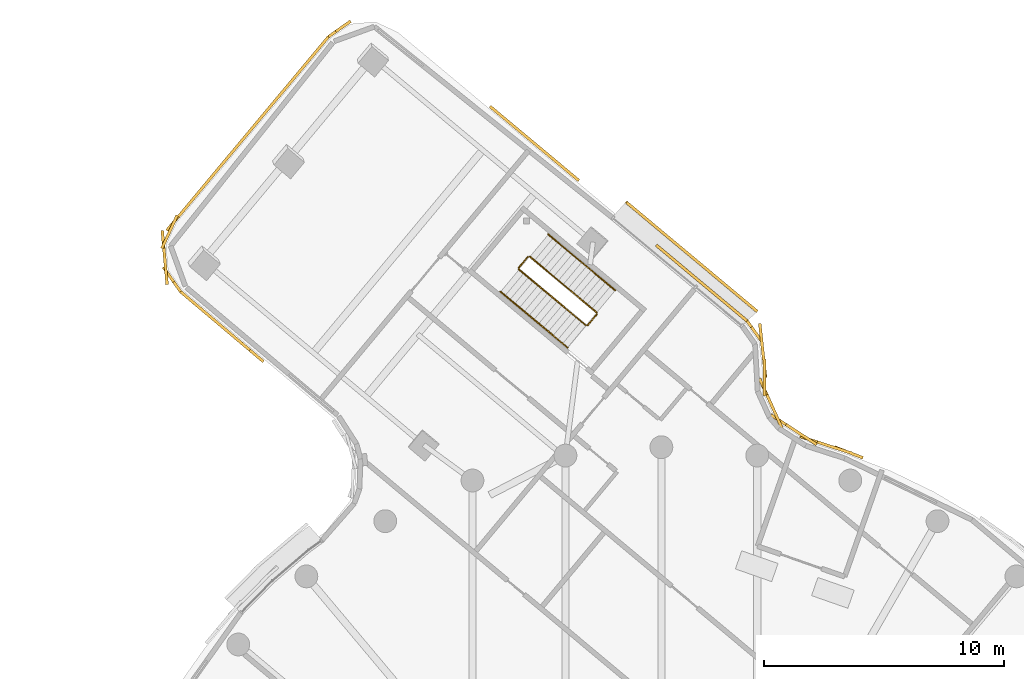
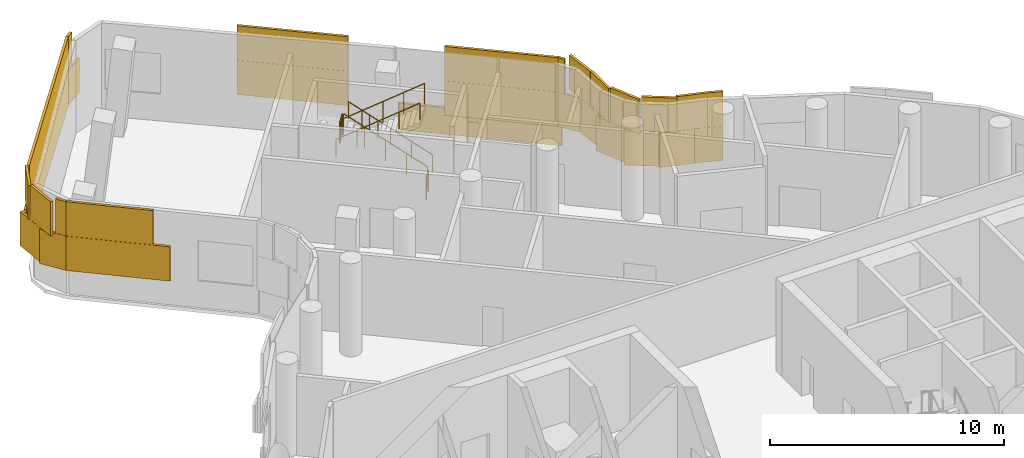
# One storey, part 17 of 19: 6 coverings, 6 railings.
"""IFC4 building model written with IfcOpenShell, lengths in metres."""

from ifc_helpers import new_model, si_unit, direction, frame, origin, origin_2d, place, context, subcontext, project, spatial, rectangle, circle, extrude, material, layer, layer_set, type_object, element, save


model = new_model("IFC4")

# Units and contexts
model_context = context("Model", 3, precision=1e-05, world=origin(), true_north=direction((0.0, 1.0)))
body_context = subcontext(model_context, "Body", "Model", "MODEL_VIEW")
ifc_project = project(units=[si_unit("LENGTHUNIT", "METRE"), si_unit("AREAUNIT", "SQUARE_METRE"), si_unit("VOLUMEUNIT", "CUBIC_METRE"), si_unit("PLANEANGLEUNIT", "RADIAN"), si_unit("MASSUNIT", "GRAM", prefix="KILO")], contexts=[model_context])

# Site, building, storey
site_placement = place(None, origin())
site = spatial("IfcSite", under=ifc_project, at=site_placement, CompositionType="ELEMENT")
building_placement = place(site_placement, origin())
building = spatial("IfcBuilding", under=site, at=building_placement, Name="Tamarind Cross Interchange Tower", CompositionType="ELEMENT")
storey_placement = place(building_placement, frame((0.0, 0.0, 214.89990234375)))
storey = spatial("IfcBuildingStorey", under=building, at=storey_placement, Name="L54", CompositionType="ELEMENT", Elevation=214.89990234375)

# Railings
ifc_material_1 = material(Name="Stair guard")
railing_type_1 = type_object("IfcRailingType", Name="Stair guard", PredefinedType="GUARDRAIL", material=ifc_material_1)
railing_1_placement = place(storey_placement, frame((-2.690185546875, 28.60888671875, 0.166748046875)))
element("IfcRailing", 1, at=railing_1_placement, inside=storey, type_object=railing_type_1, Name="L54 ST4 stair guard 1", PredefinedType="GUARDRAIL", context=body_context, shape_type="SweptSolid", body=[
    extrude(circle(Radius=0.02392578125, at=origin_2d()), frame((0.0, 0.0, 1.076171875), z_axis=(-0.646339779261, 0.539444689086, 0.53967056355), x_axis=(-0.640764798024, -0.76773724256, 0.0)), (0.0, 0.0, 1.0), 4.323486328125),
    extrude(circle(Radius=0.02099609375, at=origin_2d()), origin(), (0.0, 0.0, 1.0), 1.052001953125),
    extrude(circle(Radius=0.02099609375, at=origin_2d()), frame((-0.69873046875, 0.5830078125, 0.583251953125)), (0.0, 0.0, 1.0), 1.052001953125),
    extrude(circle(Radius=0.02099609375, at=origin_2d()), frame((-1.397216796875, 1.166015625, 1.16650390625)), (0.0, 0.0, 1.0), 1.052001953125),
    extrude(circle(Radius=0.02099609375, at=origin_2d()), frame((-2.095703125, 1.749267578125, 1.75)), (0.0, 0.0, 1.0), 1.052001953125),
    extrude(circle(Radius=0.02099609375, at=origin_2d()), frame((-2.79443359375, 2.332275390625, 2.333251953125)), (0.0, 0.0, 1.0), 1.052001953125),
])
railing_2_placement = place(storey_placement, frame((-5.55517578125, 30.934814453125, 2.5)))
element("IfcRailing", 2, at=railing_2_placement, inside=storey, type_object=railing_type_1, Name="L54 ST4 stair guard 2", PredefinedType="GUARDRAIL", context=body_context, shape_type="SweptSolid", body=[
    extrude(circle(Radius=0.02392578125, at=origin_2d()), frame((0.0, 0.0, 1.076171875), z_axis=(-0.640544583064, -0.767920983635, 0.0), x_axis=(0.767920983635, -0.640544583064, 0.0)), (0.0, 0.0, 1.0), 0.599853515625),
    extrude(circle(Radius=0.02099609375, at=origin_2d()), origin(), (0.0, 0.0, 1.0), 1.052001953125),
    extrude(circle(Radius=0.02099609375, at=origin_2d()), frame((-0.38427734375, -0.460693359375, 0.0)), (0.0, 0.0, 1.0), 1.052001953125),
])
railing_3_placement = place(storey_placement, frame((-5.93310546875, 30.40380859375, 2.666748046875)))
element("IfcRailing", 3, at=railing_3_placement, inside=storey, type_object=railing_type_1, Name="L54 ST4 stair guard 3", PredefinedType="GUARDRAIL", context=body_context, shape_type="SweptSolid", body=[
    extrude(circle(Radius=0.02392578125, at=origin_2d()), frame((0.0, 0.0, 1.076171875), z_axis=(0.646320090525, -0.539484723473, 0.539654124161), x_axis=(0.640804330688, 0.76770424629, 0.0)), (0.0, 0.0, 1.0), 4.323486328125),
    extrude(circle(Radius=0.02099609375, at=origin_2d()), origin(), (0.0, 0.0, 1.0), 1.052001953125),
    extrude(circle(Radius=0.02099609375, at=origin_2d()), frame((0.69873046875, -0.5830078125, 0.583251953125)), (0.0, 0.0, 1.0), 1.052001953125),
    extrude(circle(Radius=0.02099609375, at=origin_2d()), frame((1.397216796875, -1.166259765625, 1.16650390625)), (0.0, 0.0, 1.0), 1.052001953125),
    extrude(circle(Radius=0.02099609375, at=origin_2d()), frame((2.095703125, -1.74951171875, 1.75)), (0.0, 0.0, 1.0), 1.052001953125),
    extrude(circle(Radius=0.02099609375, at=origin_2d()), frame((2.79443359375, -2.33251953125, 2.333251953125)), (0.0, 0.0, 1.0), 1.052001953125),
])
railing_4_placement = place(storey_placement, frame((-2.683837890625, 28.538330078125, 0.0)))
element("IfcRailing", 4, at=railing_4_placement, inside=storey, type_object=railing_type_1, Name="L54 ST4 stair guard 4", PredefinedType="GUARDRAIL", context=body_context, shape_type="SweptSolid", body=[
    extrude(circle(Radius=0.02392578125, at=origin_2d()), frame((0.0, 0.0, 1.076171875), z_axis=(-0.640544583064, -0.767920983635, 0.0), x_axis=(0.767920983635, -0.640544583064, 0.0)), (0.0, 0.0, 1.0), 0.599853515625),
    extrude(circle(Radius=0.02099609375, at=origin_2d()), origin(), (0.0, 0.0, 1.0), 1.052001953125),
    extrude(circle(Radius=0.02099609375, at=origin_2d()), frame((-0.38427734375, -0.460693359375, 0.0)), (0.0, 0.0, 1.0), 1.052001953125),
])
ifc_material_2 = material(Name="Stair handrail")
railing_type_2 = type_object("IfcRailingType", Name="Stair handrail", PredefinedType="HANDRAIL", material=ifc_material_2)
railing_5_placement = place(storey_placement, frame((-1.921142578125, 29.530029296875, 0.166748046875)))
element("IfcRailing", 5, at=railing_5_placement, inside=storey, type_object=railing_type_2, Name="L54 ST4 stair handrail 1", PredefinedType="HANDRAIL", context=body_context, shape_type="SweptSolid", body=[
    extrude(circle(Radius=0.02392578125, at=origin_2d()), frame((0.0, 0.0, 0.8759765625), z_axis=(-0.646352967723, 0.539465034824, 0.539634429329), x_axis=(-0.640771335925, -0.767731785884, 0.0)), (0.0, 0.0, 1.0), 4.32373046875),
    extrude(circle(Radius=0.02099609375, at=origin_2d()), origin(), (0.0, 0.0, 1.0), 0.851806640625),
    extrude(circle(Radius=0.02099609375, at=origin_2d()), frame((-0.69873046875, 0.5830078125, 0.583251953125)), (0.0, 0.0, 1.0), 0.851806640625),
    extrude(circle(Radius=0.02099609375, at=origin_2d()), frame((-1.3974609375, 1.166259765625, 1.16650390625)), (0.0, 0.0, 1.0), 0.851806640625),
    extrude(circle(Radius=0.02099609375, at=origin_2d()), frame((-2.095947265625, 1.74951171875, 1.75)), (0.0, 0.0, 1.0), 0.851806640625),
    extrude(circle(Radius=0.02099609375, at=origin_2d()), frame((-2.794677734375, 2.33251953125, 2.333251953125)), (0.0, 0.0, 1.0), 0.851806640625),
])
railing_6_placement = place(storey_placement, frame((-6.7021484375, 29.482421875, 2.666748046875)))
element("IfcRailing", 6, at=railing_6_placement, inside=storey, type_object=railing_type_2, Name="L54 ST4 stair handrail 2", PredefinedType="HANDRAIL", context=body_context, shape_type="SweptSolid", body=[
    extrude(circle(Radius=0.02392578125, at=origin_2d()), frame((0.0, 0.0, 0.8759765625), z_axis=(0.646372656024, -0.539425000698, 0.539650866919), x_axis=(0.64073180246, 0.76776477994, 0.0)), (0.0, 0.0, 1.0), 4.32373046875),
    extrude(circle(Radius=0.02099609375, at=origin_2d()), origin(), (0.0, 0.0, 1.0), 0.851806640625),
    extrude(circle(Radius=0.02099609375, at=origin_2d()), frame((0.69873046875, -0.5830078125, 0.583251953125)), (0.0, 0.0, 1.0), 0.851806640625),
    extrude(circle(Radius=0.02099609375, at=origin_2d()), frame((1.3974609375, -1.166015625, 1.16650390625)), (0.0, 0.0, 1.0), 0.851806640625),
    extrude(circle(Radius=0.02099609375, at=origin_2d()), frame((2.095947265625, -1.749267578125, 1.75)), (0.0, 0.0, 1.0), 0.851806640625),
    extrude(circle(Radius=0.02099609375, at=origin_2d()), frame((2.794677734375, -2.332275390625, 2.333251953125)), (0.0, 0.0, 1.0), 0.851806640625),
])

# Coverings
ifc_material_3 = material(Name="Terracotta", Category="masonry")
ifc_layer = layer(ifc_material_3, 0.1201171875)
ifc_layer_set = layer_set([ifc_layer], Name="Terracotta")
covering_type = type_object("IfcCoveringType", Name="Terracotta baguette screen unit", PredefinedType="MOLDING", material=ifc_layer_set)
covering_1_placement = place(storey_placement, origin())
element("IfcCovering", 7, at=covering_1_placement, inside=storey, type_object=covering_type, Name="SCR-L54-06-05", PredefinedType="MOLDING", context=body_context, shape_type="SweptSolid", body=[
    extrude(rectangle(XDim=1.258056640625, YDim=0.1201171875, at=origin_2d()), frame((7.80615234375, 22.7822265625, 1.404052734375), z_axis=(0.0, 0.0, 1.0), x_axis=(-0.933146843667, 0.359495435512, 0.0)), (0.0, 0.0, 1.0), 1.7919921875),
    extrude(rectangle(XDim=1.52001953125, YDim=0.1201171875, at=origin_2d()), frame((6.500732421875, 23.210205078125, 1.404052734375), z_axis=(0.0, 0.0, 1.0), x_axis=(-0.951328526702, 0.308178575316, 0.0)), (0.0, 0.0, 1.0), 1.7919921875),
    extrude(rectangle(XDim=1.52001953125, YDim=0.1201171875, at=origin_2d()), frame((5.197998046875, 23.93359375, 1.404052734375), z_axis=(0.0, 0.0, 1.0), x_axis=(-0.839075380751, 0.54401517021, 0.0)), (0.0, 0.0, 1.0), 1.7919921875),
    extrude(rectangle(XDim=1.52001953125, YDim=0.1201171875, at=origin_2d()), frame((4.3994140625, 25.173095703125, 1.404052734375), z_axis=(0.0, 0.0, 1.0), x_axis=(-0.411287294518, 0.911505765954, 0.0)), (0.0, 0.0, 1.0), 1.7919921875),
    extrude(rectangle(XDim=1.52001953125, YDim=0.1201171875, at=origin_2d()), frame((4.260498046875, 26.650146484375, 1.404052734375), z_axis=(0.0, 0.0, 1.0), x_axis=(-0.107725750473, 0.994180648919, 0.0)), (0.0, 0.0, 1.0), 1.7919921875),
    extrude(rectangle(XDim=1.063232421875, YDim=0.1201171875, at=origin_2d()), frame((3.876953125, 27.82568359375, 1.404052734375), z_axis=(0.0, 0.0, 1.0), x_axis=(-0.580632058092, 0.814166084479, 0.0)), (0.0, 0.0, 1.0), 1.7919921875),
    extrude(rectangle(XDim=0.508056640625, YDim=0.1201171875, at=origin_2d()), frame((8.156005859375, 22.6474609375, 3.2041015625), z_axis=(0.0, 0.0, 1.0), x_axis=(-0.933146843667, 0.359495435512, 0.0)), (0.0, 0.0, 1.0), 1.7919921875),
    extrude(rectangle(XDim=1.52001953125, YDim=0.1201171875, at=origin_2d()), frame((7.214111328125, 22.97900390625, 3.2041015625), z_axis=(0.0, 0.0, 1.0), x_axis=(-0.951328526702, 0.308178575316, 0.0)), (0.0, 0.0, 1.0), 1.7919921875),
    extrude(rectangle(XDim=1.52001953125, YDim=0.1201171875, at=origin_2d()), frame((5.8271484375, 23.525634765625, 3.2041015625), z_axis=(0.0, 0.0, 1.0), x_axis=(-0.839075380751, 0.54401517021, 0.0)), (0.0, 0.0, 1.0), 1.7919921875),
    extrude(rectangle(XDim=1.52001953125, YDim=0.1201171875, at=origin_2d()), frame((4.707763671875, 24.4892578125, 3.2041015625), z_axis=(0.0, 0.0, 1.0), x_axis=(-0.411287294518, 0.911505765954, 0.0)), (0.0, 0.0, 1.0), 1.7919921875),
    extrude(rectangle(XDim=1.52001953125, YDim=0.1201171875, at=origin_2d()), frame((4.295654296875, 25.90185546875, 3.2041015625), z_axis=(0.0, 0.0, 1.0), x_axis=(-0.009929758595, 0.999950698732, 0.0)), (0.0, 0.0, 1.0), 1.7919921875),
    extrude(rectangle(XDim=1.52001953125, YDim=0.1201171875, at=origin_2d()), frame((4.1796875, 27.395751953125, 3.2041015625), z_axis=(0.0, 0.0, 1.0), x_axis=(-0.107725750473, 0.994180648919, 0.0)), (0.0, 0.0, 1.0), 1.7919921875),
    extrude(rectangle(XDim=0.313232421875, YDim=0.1201171875, at=origin_2d()), frame((3.6591796875, 28.130859375, 3.2041015625), z_axis=(0.0, 0.0, 1.0), x_axis=(-0.580632058092, 0.814166084479, 0.0)), (0.0, 0.0, 1.0), 1.7919921875),
])
covering_2_placement = place(storey_placement, origin())
element("IfcCovering", 8, at=covering_2_placement, inside=storey, type_object=covering_type, Name="SCR-L54-07-00", PredefinedType="MOLDING", context=body_context, shape_type="SweptSolid", body=[
    extrude(rectangle(XDim=1.510009765625, YDim=0.1201171875, at=origin_2d()), frame((2.995361328125, 28.735107421875, 1.404052734375), z_axis=(0.0, 0.0, 1.0), x_axis=(-0.767729103501, 0.640774549773, 0.0)), (0.0, 0.0, 1.0), 1.7919921875),
    extrude(rectangle(XDim=1.52001953125, YDim=0.1201171875, at=origin_2d()), frame((1.84375, 29.6962890625, 1.404052734375), z_axis=(0.0, 0.0, 1.0), x_axis=(-0.767729103501, 0.640774549773, 0.0)), (0.0, 0.0, 1.0), 1.7919921875),
    extrude(rectangle(XDim=1.52001953125, YDim=0.1201171875, at=origin_2d()), frame((0.692138671875, 30.657470703125, 1.404052734375), z_axis=(0.0, 0.0, 1.0), x_axis=(-0.767729103501, 0.640774549773, 0.0)), (0.0, 0.0, 1.0), 1.7919921875),
    extrude(rectangle(XDim=0.44091796875, YDim=0.1201171875, at=origin_2d()), frame((-0.049072265625, 31.276123046875, 1.404052734375), z_axis=(0.0, 0.0, 1.0), x_axis=(-0.767729103501, 0.640774549773, 0.0)), (0.0, 0.0, 1.0), 1.7919921875),
    extrude(rectangle(XDim=0.760009765625, YDim=0.1201171875, at=origin_2d()), frame((3.283203125, 28.49462890625, 3.2041015625), z_axis=(0.0, 0.0, 1.0), x_axis=(-0.767729103501, 0.640774549773, 0.0)), (0.0, 0.0, 1.0), 1.7919921875),
    extrude(rectangle(XDim=1.52001953125, YDim=0.1201171875, at=origin_2d()), frame((2.41943359375, 29.215576171875, 3.2041015625), z_axis=(0.0, 0.0, 1.0), x_axis=(-0.767729103501, 0.640774549773, 0.0)), (0.0, 0.0, 1.0), 1.7919921875),
    extrude(rectangle(XDim=1.52001953125, YDim=0.1201171875, at=origin_2d()), frame((1.267822265625, 30.1767578125, 3.2041015625), z_axis=(0.0, 0.0, 1.0), x_axis=(-0.767729103501, 0.640774549773, 0.0)), (0.0, 0.0, 1.0), 1.7919921875),
    extrude(rectangle(XDim=1.19091796875, YDim=0.1201171875, at=origin_2d()), frame((0.23876953125, 31.03564453125, 3.2041015625), z_axis=(0.0, 0.0, 1.0), x_axis=(-0.767729103501, 0.640774549773, 0.0)), (0.0, 0.0, 1.0), 1.7919921875),
    extrude(rectangle(XDim=1.510009765625, YDim=0.1201171875, at=origin_2d()), frame((3.416015625, 29.131591796875, 0.004150390625), z_axis=(0.0, 0.0, 1.0), x_axis=(-0.767729103501, 0.640774549773, 0.0)), (0.0, 0.0, 1.0), 1.39208984375),
    extrude(rectangle(XDim=1.52001953125, YDim=0.1201171875, at=origin_2d()), frame((2.26806640625, 30.089599609375, 0.004150390625), z_axis=(0.0, 0.0, 1.0), x_axis=(-0.767729103501, 0.640774549773, 0.0)), (0.0, 0.0, 1.0), 1.39208984375),
    extrude(rectangle(XDim=1.52001953125, YDim=0.1201171875, at=origin_2d()), frame((1.11669921875, 31.05078125, 0.004150390625), z_axis=(0.0, 0.0, 1.0), x_axis=(-0.767729103501, 0.640774549773, 0.0)), (0.0, 0.0, 1.0), 1.39208984375),
    extrude(rectangle(XDim=1.52001953125, YDim=0.1201171875, at=origin_2d()), frame((-0.034912109375, 32.011962890625, 0.004150390625), z_axis=(0.0, 0.0, 1.0), x_axis=(-0.767729103501, 0.640774549773, 0.0)), (0.0, 0.0, 1.0), 1.39208984375),
    extrude(rectangle(XDim=1.0966796875, YDim=0.1201171875, at=origin_2d()), frame((-1.024169921875, 32.83740234375, 0.004150390625), z_axis=(0.0, 0.0, 1.0), x_axis=(-0.767729103501, 0.640774549773, 0.0)), (0.0, 0.0, 1.0), 1.39208984375),
])
covering_3_placement = place(storey_placement, origin())
element("IfcCovering", 9, at=covering_3_placement, inside=storey, type_object=covering_type, Name="SCR-L54-07-01", PredefinedType="MOLDING", context=body_context, shape_type="SweptSolid", body=[
    extrude(rectangle(XDim=1.37890625, YDim=0.1201171875, at=origin_2d()), frame((-3.964599609375, 34.5439453125, 1.404052734375), z_axis=(0.0, 0.0, 1.0), x_axis=(-0.767729103501, 0.640774549773, 0.0)), (0.0, 0.0, 1.0), 1.7919921875),
    extrude(rectangle(XDim=1.52001953125, YDim=0.1201171875, at=origin_2d()), frame((-5.06591796875, 35.463134765625, 1.404052734375), z_axis=(0.0, 0.0, 1.0), x_axis=(-0.767729103501, 0.640774549773, 0.0)), (0.0, 0.0, 1.0), 1.7919921875),
    extrude(rectangle(XDim=1.52001953125, YDim=0.1201171875, at=origin_2d()), frame((-6.217529296875, 36.42431640625, 1.404052734375), z_axis=(0.0, 0.0, 1.0), x_axis=(-0.767729103501, 0.640774549773, 0.0)), (0.0, 0.0, 1.0), 1.7919921875),
    extrude(rectangle(XDim=0.452392578125, YDim=0.1201171875, at=origin_2d()), frame((-6.963134765625, 37.046630859375, 1.404052734375), z_axis=(0.0, 0.0, 1.0), x_axis=(-0.767729103501, 0.640774549773, 0.0)), (0.0, 0.0, 1.0), 1.7919921875),
    extrude(rectangle(XDim=0.62890625, YDim=0.1201171875, at=origin_2d()), frame((-3.6767578125, 34.3037109375, 3.2041015625), z_axis=(0.0, 0.0, 1.0), x_axis=(-0.767729103501, 0.640774549773, 0.0)), (0.0, 0.0, 1.0), 1.7919921875),
    extrude(rectangle(XDim=1.52001953125, YDim=0.1201171875, at=origin_2d()), frame((-4.489990234375, 34.982666015625, 3.2041015625), z_axis=(0.0, 0.0, 1.0), x_axis=(-0.767729103501, 0.640774549773, 0.0)), (0.0, 0.0, 1.0), 1.7919921875),
    extrude(rectangle(XDim=1.52001953125, YDim=0.1201171875, at=origin_2d()), frame((-5.6416015625, 35.94384765625, 3.2041015625), z_axis=(0.0, 0.0, 1.0), x_axis=(-0.767729103501, 0.640774549773, 0.0)), (0.0, 0.0, 1.0), 1.7919921875),
    extrude(rectangle(XDim=1.202392578125, YDim=0.1201171875, at=origin_2d()), frame((-6.675048828125, 36.806396484375, 3.2041015625), z_axis=(0.0, 0.0, 1.0), x_axis=(-0.767729103501, 0.640774549773, 0.0)), (0.0, 0.0, 1.0), 1.7919921875),
    extrude(rectangle(XDim=0.040283203125, YDim=0.1201171875, at=origin_2d()), frame((-1.46044921875, 33.20166015625, 0.004150390625), z_axis=(0.0, 0.0, 1.0), x_axis=(-0.767729103501, 0.640774549773, 0.0)), (0.0, 0.0, 1.0), 1.39208984375),
])
covering_4_placement = place(storey_placement, origin())
element("IfcCovering", 10, at=covering_4_placement, inside=storey, type_object=covering_type, Name="SCR-L54-07-02", PredefinedType="MOLDING", context=body_context, shape_type="SweptSolid", body=[
    extrude(rectangle(XDim=1.126953125, YDim=0.1201171875, at=origin_2d()), frame((-13.402587890625, 40.4169921875, 1.404052734375), z_axis=(0.0, 0.0, 1.0), x_axis=(-0.81764359992, -0.575724711567, 0.0)), (0.0, 0.0, 1.0), 1.7919921875),
    extrude(rectangle(XDim=0.376953125, YDim=0.1201171875, at=origin_2d()), frame((-13.708984375, 40.201171875, 3.2041015625), z_axis=(0.0, 0.0, 1.0), x_axis=(-0.81764359992, -0.575724711567, 0.0)), (0.0, 0.0, 1.0), 1.7919921875),
])
covering_5_placement = place(storey_placement, origin())
element("IfcCovering", 11, at=covering_5_placement, inside=storey, type_object=covering_type, Name="SCR-L54-08-00", PredefinedType="MOLDING", context=body_context, shape_type="SweptSolid", body=[
    extrude(rectangle(XDim=1.510009765625, YDim=0.1201171875, at=origin_2d()), frame((-14.339599609375, 39.51953125, 1.404052734375), z_axis=(0.0, 0.0, 1.0), x_axis=(-0.640774549773, -0.767729103501, 0.0)), (0.0, 0.0, 1.0), 1.7919921875),
    extrude(rectangle(XDim=1.52001953125, YDim=0.1201171875, at=origin_2d()), frame((-15.30078125, 38.3681640625, 1.404052734375), z_axis=(0.0, 0.0, 1.0), x_axis=(-0.640774549773, -0.767729103501, 0.0)), (0.0, 0.0, 1.0), 1.7919921875),
    extrude(rectangle(XDim=1.52001953125, YDim=0.1201171875, at=origin_2d()), frame((-16.261962890625, 37.216552734375, 1.404052734375), z_axis=(0.0, 0.0, 1.0), x_axis=(-0.640774549773, -0.767729103501, 0.0)), (0.0, 0.0, 1.0), 1.7919921875),
    extrude(rectangle(XDim=1.52001953125, YDim=0.1201171875, at=origin_2d()), frame((-17.22314453125, 36.06494140625, 1.404052734375), z_axis=(0.0, 0.0, 1.0), x_axis=(-0.640774549773, -0.767729103501, 0.0)), (0.0, 0.0, 1.0), 1.7919921875),
    extrude(rectangle(XDim=1.52001953125, YDim=0.1201171875, at=origin_2d()), frame((-18.184326171875, 34.913330078125, 1.404052734375), z_axis=(0.0, 0.0, 1.0), x_axis=(-0.640774549773, -0.767729103501, 0.0)), (0.0, 0.0, 1.0), 1.7919921875),
    extrude(rectangle(XDim=1.52001953125, YDim=0.1201171875, at=origin_2d()), frame((-19.1455078125, 33.76171875, 1.404052734375), z_axis=(0.0, 0.0, 1.0), x_axis=(-0.640774549773, -0.767729103501, 0.0)), (0.0, 0.0, 1.0), 1.7919921875),
    extrude(rectangle(XDim=1.52001953125, YDim=0.1201171875, at=origin_2d()), frame((-20.106689453125, 32.610107421875, 1.404052734375), z_axis=(0.0, 0.0, 1.0), x_axis=(-0.640774549773, -0.767729103501, 0.0)), (0.0, 0.0, 1.0), 1.7919921875),
    extrude(rectangle(XDim=1.52001953125, YDim=0.1201171875, at=origin_2d()), frame((-20.71826171875, 31.2734375, 1.404052734375), z_axis=(0.0, 0.0, 1.0), x_axis=(0.089770425844, -0.995962484556, 0.0)), (0.0, 0.0, 1.0), 1.7919921875),
    extrude(rectangle(XDim=1.259521484375, YDim=0.1201171875, at=origin_2d()), frame((-20.3779296875, 29.98388671875, 1.404052734375), z_axis=(0.0, 0.0, 1.0), x_axis=(0.575724711567, -0.81764359992, 0.0)), (0.0, 0.0, 1.0), 1.7919921875),
    extrude(rectangle(XDim=0.760009765625, YDim=0.1201171875, at=origin_2d()), frame((-14.099365234375, 39.8076171875, 3.2041015625), z_axis=(0.0, 0.0, 1.0), x_axis=(-0.640774549773, -0.767729103501, 0.0)), (0.0, 0.0, 1.0), 1.7919921875),
    extrude(rectangle(XDim=1.52001953125, YDim=0.1201171875, at=origin_2d()), frame((-14.8203125, 38.94384765625, 3.2041015625), z_axis=(0.0, 0.0, 1.0), x_axis=(-0.640774549773, -0.767729103501, 0.0)), (0.0, 0.0, 1.0), 1.7919921875),
    extrude(rectangle(XDim=1.52001953125, YDim=0.1201171875, at=origin_2d()), frame((-15.781494140625, 37.792236328125, 3.2041015625), z_axis=(0.0, 0.0, 1.0), x_axis=(-0.640774549773, -0.767729103501, 0.0)), (0.0, 0.0, 1.0), 1.7919921875),
    extrude(rectangle(XDim=1.52001953125, YDim=0.1201171875, at=origin_2d()), frame((-16.74267578125, 36.640625, 3.2041015625), z_axis=(0.0, 0.0, 1.0), x_axis=(-0.640774549773, -0.767729103501, 0.0)), (0.0, 0.0, 1.0), 1.7919921875),
    extrude(rectangle(XDim=1.52001953125, YDim=0.1201171875, at=origin_2d()), frame((-17.703857421875, 35.489013671875, 3.2041015625), z_axis=(0.0, 0.0, 1.0), x_axis=(-0.640774549773, -0.767729103501, 0.0)), (0.0, 0.0, 1.0), 1.7919921875),
    extrude(rectangle(XDim=1.52001953125, YDim=0.1201171875, at=origin_2d()), frame((-18.664794921875, 34.33740234375, 3.2041015625), z_axis=(0.0, 0.0, 1.0), x_axis=(-0.640774549773, -0.767729103501, 0.0)), (0.0, 0.0, 1.0), 1.7919921875),
    extrude(rectangle(XDim=1.52001953125, YDim=0.1201171875, at=origin_2d()), frame((-19.6259765625, 33.185791015625, 3.2041015625), z_axis=(0.0, 0.0, 1.0), x_axis=(-0.640774549773, -0.767729103501, 0.0)), (0.0, 0.0, 1.0), 1.7919921875),
    extrude(rectangle(XDim=1.52001953125, YDim=0.1201171875, at=origin_2d()), frame((-20.482177734375, 31.9677734375, 3.2041015625), z_axis=(0.0, 0.0, 1.0), x_axis=(-0.420237772989, -0.907414025764, 0.0)), (0.0, 0.0, 1.0), 1.7919921875),
    extrude(rectangle(XDim=1.52001953125, YDim=0.1201171875, at=origin_2d()), frame((-20.65087890625, 30.526611328125, 3.2041015625), z_axis=(0.0, 0.0, 1.0), x_axis=(0.089770425844, -0.995962484556, 0.0)), (0.0, 0.0, 1.0), 1.7919921875),
    extrude(rectangle(XDim=0.509521484375, YDim=0.1201171875, at=origin_2d()), frame((-20.162109375, 29.67724609375, 3.2041015625), z_axis=(0.0, 0.0, 1.0), x_axis=(0.575724711567, -0.81764359992, 0.0)), (0.0, 0.0, 1.0), 1.7919921875),
])
covering_6_placement = place(storey_placement, origin())
element("IfcCovering", 12, at=covering_6_placement, inside=storey, type_object=covering_type, Name="SCR-L54-09-00", PredefinedType="MOLDING", context=body_context, shape_type="SweptSolid", body=[
    extrude(rectangle(XDim=1.510009765625, YDim=0.1201171875, at=origin_2d()), frame((-19.4453125, 28.9892578125, 1.404052734375), z_axis=(0.0, 0.0, 1.0), x_axis=(0.764191475133, -0.64498944901, 0.0)), (0.0, 0.0, 1.0), 1.7919921875),
    extrude(rectangle(XDim=1.52001953125, YDim=0.1201171875, at=origin_2d()), frame((-18.298828125, 28.02197265625, 1.404052734375), z_axis=(0.0, 0.0, 1.0), x_axis=(0.764191475133, -0.64498944901, 0.0)), (0.0, 0.0, 1.0), 1.7919921875),
    extrude(rectangle(XDim=1.52001953125, YDim=0.1201171875, at=origin_2d()), frame((-17.152587890625, 27.054443359375, 1.404052734375), z_axis=(0.0, 0.0, 1.0), x_axis=(0.764191475133, -0.64498944901, 0.0)), (0.0, 0.0, 1.0), 1.7919921875),
    extrude(rectangle(XDim=0.760009765625, YDim=0.1201171875, at=origin_2d()), frame((-19.731689453125, 29.231201171875, 3.2041015625), z_axis=(0.0, 0.0, 1.0), x_axis=(0.764191475133, -0.64498944901, 0.0)), (0.0, 0.0, 1.0), 1.7919921875),
    extrude(rectangle(XDim=1.52001953125, YDim=0.1201171875, at=origin_2d()), frame((-18.8720703125, 28.505615234375, 3.2041015625), z_axis=(0.0, 0.0, 1.0), x_axis=(0.764191475133, -0.64498944901, 0.0)), (0.0, 0.0, 1.0), 1.7919921875),
    extrude(rectangle(XDim=1.52001953125, YDim=0.1201171875, at=origin_2d()), frame((-17.725830078125, 27.5380859375, 3.2041015625), z_axis=(0.0, 0.0, 1.0), x_axis=(0.764191475133, -0.64498944901, 0.0)), (0.0, 0.0, 1.0), 1.7919921875),
])

save(model, "model.ifc")
